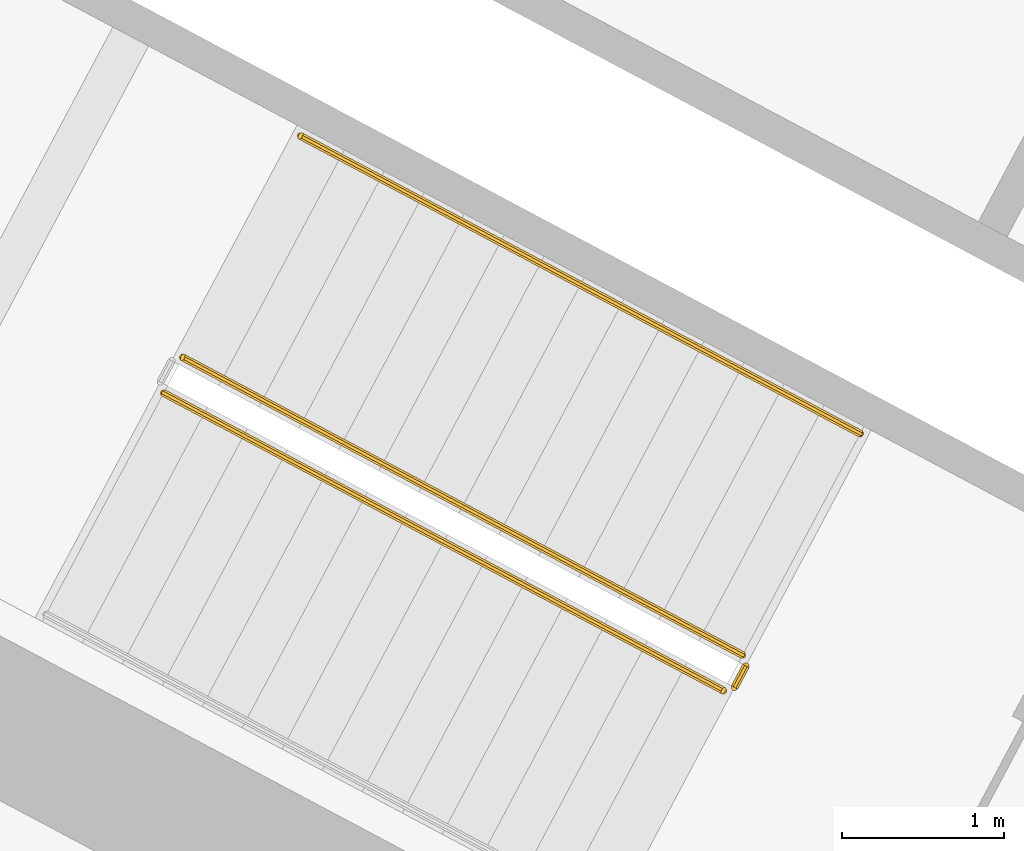
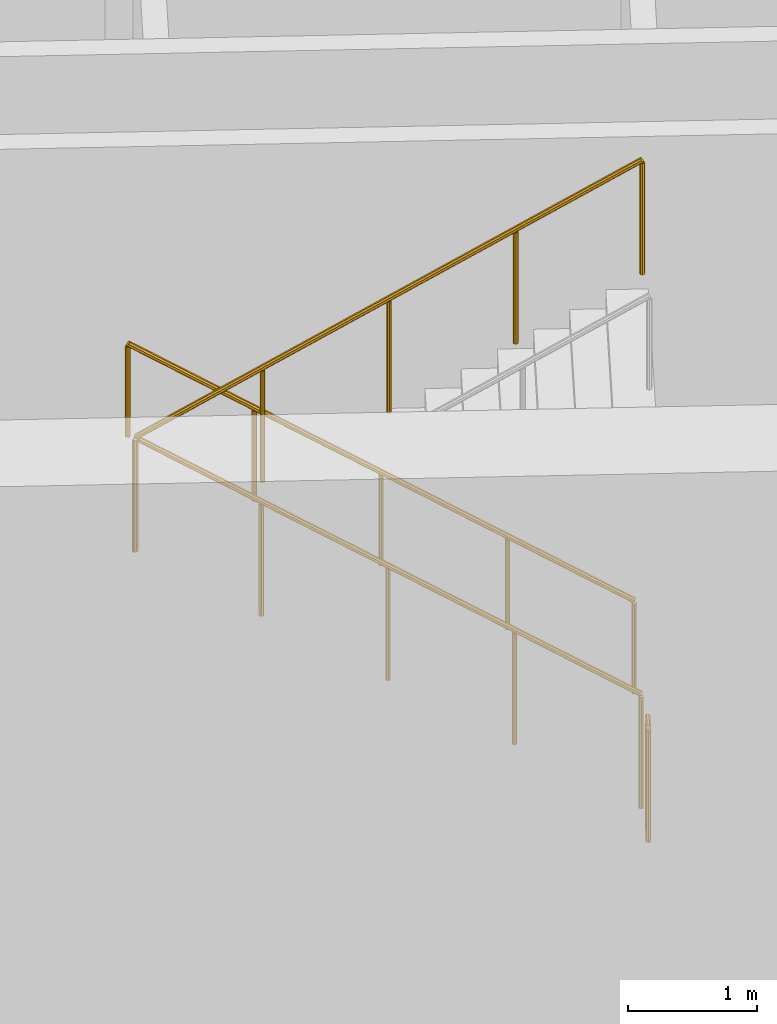
# One storey, part 23 of 31: 4 railings.
"""IFC4 building model written with IfcOpenShell, lengths in metres."""

from ifc_helpers import new_model, si_unit, direction, frame, origin, place, context, subcontext, project, spatial, polyline, outline, extrude, material, type_object, element, save


model = new_model("IFC4")

# Units and contexts
model_context = context("Model", 3, precision=1e-05, world=origin(), true_north=direction((0.0, 1.0)))
body_context = subcontext(model_context, "Body", "Model", "MODEL_VIEW")
ifc_project = project(units=[si_unit("LENGTHUNIT", "METRE"), si_unit("AREAUNIT", "SQUARE_METRE"), si_unit("VOLUMEUNIT", "CUBIC_METRE"), si_unit("PLANEANGLEUNIT", "RADIAN"), si_unit("MASSUNIT", "GRAM", prefix="KILO")], contexts=[model_context])

# Site, building, storey
site_placement = place(None, origin())
site = spatial("IfcSite", under=ifc_project, at=site_placement, CompositionType="ELEMENT")
building_placement = place(site_placement, origin())
building = spatial("IfcBuilding", under=site, at=building_placement, Name="Cormorant Relay Tower", CompositionType="ELEMENT")
storey_placement = place(building_placement, frame((0.0, 0.0, 23.0)))
storey = spatial("IfcBuildingStorey", under=building, at=storey_placement, Name="L04", CompositionType="ELEMENT", Elevation=23.0)

# Railings
ifc_material_1 = material(Name="Steel ASTM A572 Grade 50 (Fy 345 MPa)", Category="steel")
railing_type_1 = type_object("IfcRailingType", Name="Stair guard 1100", PredefinedType="GUARDRAIL", material=ifc_material_1)
railing_1_placement = place(storey_placement, frame((-33.9921875, 10.08935546875, 0.179931640625)))
element("IfcRailing", 1, at=railing_1_placement, inside=storey, type_object=railing_type_1, Name="L04 A2 stair guard 1", PredefinedType="GUARDRAIL", context=body_context, shape_type="SweptSolid", body=[
    extrude(outline(polyline([(0.022216796875, 0.00927734375), (0.00927734375, 0.022216796875), (-0.00927734375, 0.022216796875), (-0.022216796875, 0.00927734375), (-0.022216796875, -0.00927734375), (-0.00927734375, -0.022216796875), (0.00927734375, -0.022216796875), (0.022216796875, -0.00927734375), (0.022216796875, 0.00927734375)])), frame((0.0, 0.0, 1.076171875), z_axis=(-0.74271721126, 0.394907409077, 0.540758062681), x_axis=(-0.469469396681, -0.882948744594, 0.0)), (0.0, 0.0, 1.0), 4.66015625),
    extrude(outline(polyline([(0.019287109375, 0.008056640625), (0.008056640625, 0.019287109375), (-0.008056640625, 0.019287109375), (-0.019287109375, 0.008056640625), (-0.019287109375, -0.008056640625), (-0.008056640625, -0.019287109375), (0.008056640625, -0.019287109375), (0.019287109375, -0.008056640625), (0.019287109375, 0.008056640625)])), origin(), (0.0, 0.0, 1.0), 1.052001953125),
    extrude(outline(polyline([(0.019287109375, 0.008056640625), (0.008056640625, 0.019287109375), (-0.008056640625, 0.019287109375), (-0.019287109375, 0.008056640625), (-0.019287109375, -0.008056640625), (-0.008056640625, -0.019287109375), (0.008056640625, -0.019287109375), (0.019287109375, -0.008056640625), (0.019287109375, 0.008056640625)])), frame((-0.865234375, 0.4599609375, 0.6298828125)), (0.0, 0.0, 1.0), 1.052001953125),
    extrude(outline(polyline([(0.019287109375, 0.008056640625), (0.008056640625, 0.019287109375), (-0.008056640625, 0.019287109375), (-0.019287109375, 0.008056640625), (-0.019287109375, -0.008056640625), (-0.008056640625, -0.019287109375), (0.008056640625, -0.019287109375), (0.019287109375, -0.008056640625), (0.019287109375, 0.008056640625)])), frame((-1.73046875, 0.920166015625, 1.260009765625)), (0.0, 0.0, 1.0), 1.052001953125),
    extrude(outline(polyline([(0.019287109375, 0.008056640625), (0.008056640625, 0.019287109375), (-0.008056640625, 0.019287109375), (-0.019287109375, 0.008056640625), (-0.019287109375, -0.008056640625), (-0.008056640625, -0.019287109375), (0.008056640625, -0.019287109375), (0.019287109375, -0.008056640625), (0.019287109375, 0.008056640625)])), frame((-2.595947265625, 1.38037109375, 1.89013671875)), (0.0, 0.0, 1.0), 1.052001953125),
    extrude(outline(polyline([(0.019287109375, 0.008056640625), (0.008056640625, 0.019287109375), (-0.008056640625, 0.019287109375), (-0.019287109375, 0.008056640625), (-0.019287109375, -0.008056640625), (-0.008056640625, -0.019287109375), (0.008056640625, -0.019287109375), (0.019287109375, -0.008056640625), (0.019287109375, 0.008056640625)])), frame((-3.461181640625, 1.84033203125, 2.52001953125)), (0.0, 0.0, 1.0), 1.052001953125),
])
railing_2_placement = place(storey_placement, frame((-37.57080078125, 11.708984375, 2.8798828125)))
element("IfcRailing", 2, at=railing_2_placement, inside=storey, type_object=railing_type_1, Name="L04 A2 stair guard 3", PredefinedType="GUARDRAIL", context=body_context, shape_type="SweptSolid", body=[
    extrude(outline(polyline([(0.022216796875, 0.00927734375), (0.00927734375, 0.022216796875), (-0.00927734375, 0.022216796875), (-0.022216796875, 0.00927734375), (-0.022216796875, -0.00927734375), (-0.00927734375, -0.022216796875), (0.00927734375, -0.022216796875), (0.022216796875, -0.00927734375), (0.022216796875, 0.00927734375)])), frame((0.0, 0.0, 1.076171875), z_axis=(0.74271721126, -0.394907409077, 0.540758062681), x_axis=(0.469469396681, 0.882948744594, 0.0)), (0.0, 0.0, 1.0), 4.66015625),
    extrude(outline(polyline([(0.019287109375, 0.008056640625), (0.008056640625, 0.019287109375), (-0.008056640625, 0.019287109375), (-0.019287109375, 0.008056640625), (-0.019287109375, -0.008056640625), (-0.008056640625, -0.019287109375), (0.008056640625, -0.019287109375), (0.019287109375, -0.008056640625), (0.019287109375, 0.008056640625)])), origin(), (0.0, 0.0, 1.0), 1.052001953125),
    extrude(outline(polyline([(0.019287109375, 0.008056640625), (0.008056640625, 0.019287109375), (-0.008056640625, 0.019287109375), (-0.019287109375, 0.008056640625), (-0.019287109375, -0.008056640625), (-0.008056640625, -0.019287109375), (0.008056640625, -0.019287109375), (0.019287109375, -0.008056640625), (0.019287109375, 0.008056640625)])), frame((0.865234375, -0.4599609375, 0.6298828125)), (0.0, 0.0, 1.0), 1.052001953125),
    extrude(outline(polyline([(0.019287109375, 0.008056640625), (0.008056640625, 0.019287109375), (-0.008056640625, 0.019287109375), (-0.019287109375, 0.008056640625), (-0.019287109375, -0.008056640625), (-0.008056640625, -0.019287109375), (0.008056640625, -0.019287109375), (0.019287109375, -0.008056640625), (0.019287109375, 0.008056640625)])), frame((1.73046875, -0.920166015625, 1.260009765625)), (0.0, 0.0, 1.0), 1.052001953125),
    extrude(outline(polyline([(0.019287109375, 0.008056640625), (0.008056640625, 0.019287109375), (-0.008056640625, 0.019287109375), (-0.019287109375, 0.008056640625), (-0.019287109375, -0.008056640625), (-0.008056640625, -0.019287109375), (0.008056640625, -0.019287109375), (0.019287109375, -0.008056640625), (0.019287109375, 0.008056640625)])), frame((2.595947265625, -1.38037109375, 1.89013671875)), (0.0, 0.0, 1.0), 1.052001953125),
    extrude(outline(polyline([(0.019287109375, 0.008056640625), (0.008056640625, 0.019287109375), (-0.008056640625, 0.019287109375), (-0.019287109375, 0.008056640625), (-0.019287109375, -0.008056640625), (-0.008056640625, -0.019287109375), (0.008056640625, -0.019287109375), (0.019287109375, -0.008056640625), (0.019287109375, 0.008056640625)])), frame((3.461181640625, -1.84033203125, 2.52001953125)), (0.0, 0.0, 1.0), 1.052001953125),
])
railing_3_placement = place(storey_placement, frame((-33.971435546875, 10.021728515625, 0.0)))
element("IfcRailing", 3, at=railing_3_placement, inside=storey, type_object=railing_type_1, Name="L04 A2 stair guard 4", PredefinedType="GUARDRAIL", context=body_context, shape_type="SweptSolid", body=[
    extrude(outline(polyline([(0.022216796875, 0.00927734375), (0.00927734375, 0.022216796875), (-0.00927734375, 0.022216796875), (-0.022216796875, 0.00927734375), (-0.022216796875, -0.00927734375), (-0.00927734375, -0.022216796875), (0.00927734375, -0.022216796875), (0.022216796875, -0.00927734375), (0.022216796875, 0.00927734375)])), frame((0.0, 0.0, 1.076171875), z_axis=(-0.470503732759, -0.882398003998, 0.0), x_axis=(0.882398003998, -0.470503732759, 0.0)), (0.0, 0.0, 1.0), 0.14990234375),
    extrude(outline(polyline([(0.019287109375, 0.008056640625), (0.008056640625, 0.019287109375), (-0.008056640625, 0.019287109375), (-0.019287109375, 0.008056640625), (-0.019287109375, -0.008056640625), (-0.008056640625, -0.019287109375), (0.008056640625, -0.019287109375), (0.019287109375, -0.008056640625), (0.019287109375, 0.008056640625)])), origin(), (0.0, 0.0, 1.0), 1.052001953125),
    extrude(outline(polyline([(0.019287109375, 0.008056640625), (0.008056640625, 0.019287109375), (-0.008056640625, 0.019287109375), (-0.019287109375, 0.008056640625), (-0.019287109375, -0.008056640625), (-0.008056640625, -0.019287109375), (0.008056640625, -0.019287109375), (0.019287109375, -0.008056640625), (0.019287109375, 0.008056640625)])), frame((-0.070556640625, -0.13232421875, 0.0)), (0.0, 0.0, 1.0), 1.052001953125),
])
ifc_material_2 = material(Name="Steel ASTM A572 Grade 50 (Fy 345 MPa)", Category="steel")
railing_type_2 = type_object("IfcRailingType", Name="Stair handrail 900", PredefinedType="HANDRAIL", material=ifc_material_2)
railing_4_placement = place(storey_placement, frame((-33.264404296875, 11.4580078125, 0.179931640625)))
element("IfcRailing", 4, at=railing_4_placement, inside=storey, type_object=railing_type_2, Name="L04 A2 stair handrail 1", PredefinedType="HANDRAIL", context=body_context, shape_type="SweptSolid", body=[
    extrude(outline(polyline([(0.022216796875, 0.00927734375), (0.00927734375, 0.022216796875), (-0.00927734375, 0.022216796875), (-0.022216796875, 0.00927734375), (-0.022216796875, -0.00927734375), (-0.00927734375, -0.022216796875), (0.00927734375, -0.022216796875), (0.022216796875, -0.00927734375), (0.022216796875, 0.00927734375)])), frame((0.0, 0.0, 0.8759765625), z_axis=(-0.74271721126, 0.394907409077, 0.540758062681), x_axis=(-0.469469396681, -0.882948744594, 0.0)), (0.0, 0.0, 1.0), 4.66015625),
    extrude(outline(polyline([(0.019287109375, 0.008056640625), (0.008056640625, 0.019287109375), (-0.008056640625, 0.019287109375), (-0.019287109375, 0.008056640625), (-0.019287109375, -0.008056640625), (-0.008056640625, -0.019287109375), (0.008056640625, -0.019287109375), (0.019287109375, -0.008056640625), (0.019287109375, 0.008056640625)])), origin(), (0.0, 0.0, 1.0), 0.851806640625),
    extrude(outline(polyline([(0.019287109375, 0.008056640625), (0.008056640625, 0.019287109375), (-0.008056640625, 0.019287109375), (-0.019287109375, 0.008056640625), (-0.019287109375, -0.008056640625), (-0.008056640625, -0.019287109375), (0.008056640625, -0.019287109375), (0.019287109375, -0.008056640625), (0.019287109375, 0.008056640625)])), frame((-0.865234375, 0.4599609375, 0.6298828125)), (0.0, 0.0, 1.0), 0.851806640625),
    extrude(outline(polyline([(0.019287109375, 0.008056640625), (0.008056640625, 0.019287109375), (-0.008056640625, 0.019287109375), (-0.019287109375, 0.008056640625), (-0.019287109375, -0.008056640625), (-0.008056640625, -0.019287109375), (0.008056640625, -0.019287109375), (0.019287109375, -0.008056640625), (0.019287109375, 0.008056640625)])), frame((-1.73046875, 0.920166015625, 1.260009765625)), (0.0, 0.0, 1.0), 0.851806640625),
    extrude(outline(polyline([(0.019287109375, 0.008056640625), (0.008056640625, 0.019287109375), (-0.008056640625, 0.019287109375), (-0.019287109375, 0.008056640625), (-0.019287109375, -0.008056640625), (-0.008056640625, -0.019287109375), (0.008056640625, -0.019287109375), (0.019287109375, -0.008056640625), (0.019287109375, 0.008056640625)])), frame((-2.595947265625, 1.38037109375, 1.89013671875)), (0.0, 0.0, 1.0), 0.851806640625),
    extrude(outline(polyline([(0.019287109375, 0.008056640625), (0.008056640625, 0.019287109375), (-0.008056640625, 0.019287109375), (-0.019287109375, 0.008056640625), (-0.019287109375, -0.008056640625), (-0.008056640625, -0.019287109375), (0.008056640625, -0.019287109375), (0.019287109375, -0.008056640625), (0.019287109375, 0.008056640625)])), frame((-3.461181640625, 1.84033203125, 2.52001953125)), (0.0, 0.0, 1.0), 0.851806640625),
])

save(model, "model.ifc")
